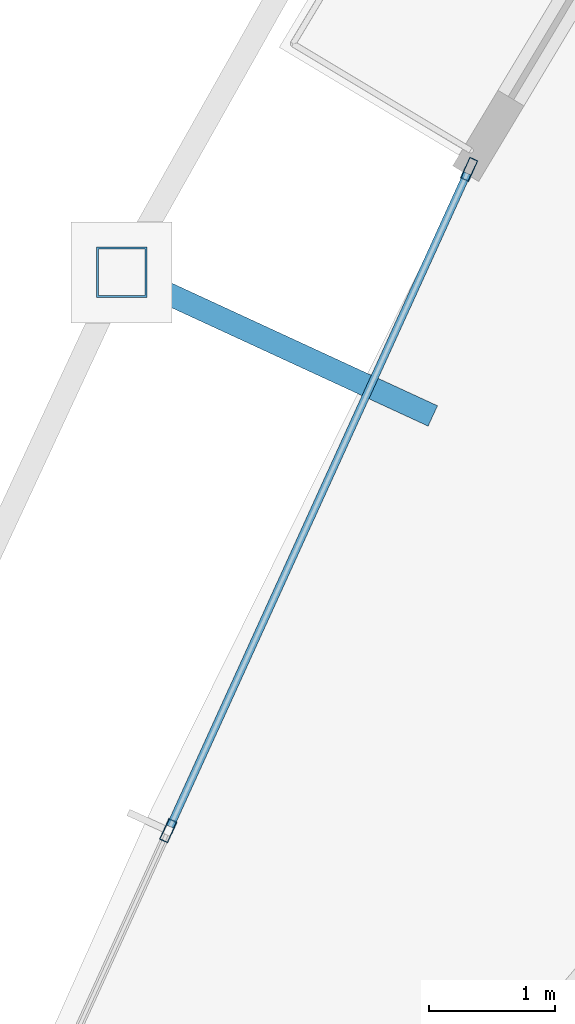
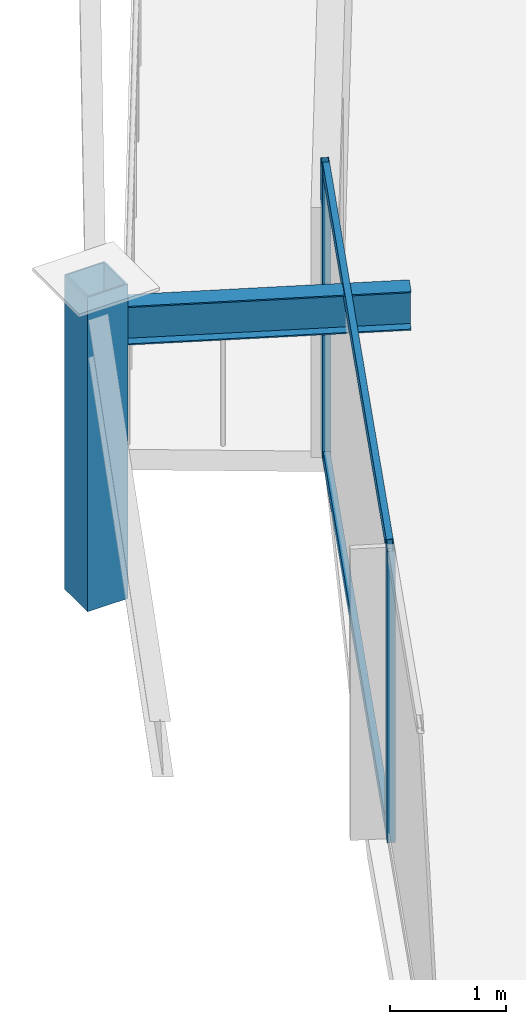
# One storey, part 10 of 33: 5 members, 1 beam, 1 element without a shape of its own.
"""IFC4 building model written with IfcOpenShell, lengths in metres."""

from ifc_helpers import new_model, si_unit, direction, frame, origin, origin_2d, place, context, subcontext, project, spatial, hollow_rectangle, i_section, extrude, material, layer, layer_set, material_profile, profile_set, type_object, element, aggregate, save


model = new_model("IFC4")

# Units and contexts
model_context = context("Model", 3, precision=1e-05, world=origin(), true_north=direction((0.0, 1.0)))
body_context = subcontext(model_context, "Body", "Model", "MODEL_VIEW")
ifc_project = project(units=[si_unit("LENGTHUNIT", "METRE"), si_unit("AREAUNIT", "SQUARE_METRE"), si_unit("VOLUMEUNIT", "CUBIC_METRE"), si_unit("PLANEANGLEUNIT", "RADIAN"), si_unit("MASSUNIT", "GRAM", prefix="KILO")], contexts=[model_context])

# Site, building, storey
site_placement = place(None, origin())
site = spatial("IfcSite", under=ifc_project, at=site_placement, CompositionType="ELEMENT")
building_placement = place(site_placement, origin())
building = spatial("IfcBuilding", under=site, at=building_placement, Name="Orvanel Arch Residences", CompositionType="ELEMENT")
storey_placement = place(building_placement, frame((0.0, 0.0, 123.199951171875)))
storey = spatial("IfcBuildingStorey", under=building, at=storey_placement, Name="L34", CompositionType="ELEMENT", Elevation=123.199951171875)

# Curtain wall, members
ifc_material_1 = material(Name="Bronze-anodised aluminium AA6063-T6", Category="aluminium")
ifc_layer = layer(ifc_material_1, 0.179931640625)
ifc_layer_set = layer_set([ifc_layer], Name="Bronze-anodised aluminium AA6063-T6")
curtain_wall_type = type_object("IfcCurtainWallType", Name="CW3-MID-SYS", PredefinedType="NOTDEFINED", material=ifc_layer_set)
curtain_wall_placement = place(storey_placement, origin())
curtain_wall = element("IfcCurtainWall", 1, at=curtain_wall_placement, inside=storey, type_object=curtain_wall_type, Name="L34 CW3-MID-SYS Unitised Curtain Wall", PredefinedType="NOTDEFINED")
ifc_material_profile_1 = material_profile(ifc_material_1, hollow_rectangle(XDim=0.070068359375, YDim=0.179931640625, WallThickness=0.00439453125, at=origin_2d()), Name="ALU180x70x4.5")
ifc_profile_set_1 = profile_set([ifc_material_profile_1], Name="Bronze-anodised aluminium AA6063-T6")
member_type_1 = type_object("IfcMemberType", Name="MUL-180x70", PredefinedType="MULLION", material=ifc_profile_set_1)
member_1_placement = place(storey_placement, frame((14.200439453125, 24.572021484375, 0.0), z_axis=(0.0, 0.0, 1.0), x_axis=(0.9102243469, -0.414115489097, 0.0)))
member_1 = element("IfcMember", 2, at=member_1_placement, type_object=member_type_1, Name="CW-S3 mullion 1", PredefinedType="MULLION", context=body_context, shape_type="SweptSolid", body=[
    extrude(hollow_rectangle(XDim=0.070068359375, YDim=0.179931640625, WallThickness=0.00439453125, at=origin_2d()), origin(), (0.0, 0.0, 1.0), 3.06005859375),
])
member_2_placement = place(storey_placement, frame((11.8193359375, 19.33837890625, 0.0), z_axis=(0.0, 0.0, 1.0), x_axis=(0.9102243469, -0.414115489097, 0.0)))
member_2 = element("IfcMember", 3, at=member_2_placement, type_object=member_type_1, Name="CW-S3 mullion 2", PredefinedType="MULLION", context=body_context, shape_type="SweptSolid", body=[
    extrude(hollow_rectangle(XDim=0.070068359375, YDim=0.179931640625, WallThickness=0.00439453125, at=origin_2d()), origin(), (0.0, 0.0, 1.0), 3.06005859375),
])

# Beam
ifc_material_2 = material(Name="Structural steel AS/NZS 3679.1 Grade 300 (300 MPa)", Category="steel")
ifc_material_profile_2 = material_profile(ifc_material_2, i_section(OverallWidth=0.177978515625, OverallDepth=0.406005859375, WebThickness=0.0078125, FlangeThickness=0.0126953125, at=origin_2d()), Name="410UB59.7")
ifc_profile_set_2 = profile_set([ifc_material_profile_2], Name="Structural steel AS/NZS 3679.1 Grade 300 (300 MPa)")
beam_type = type_object("IfcBeamType", Name="OB-410UB-EXT", PredefinedType="SPANDREL", material=ifc_profile_set_2)
beam_placement = place(storey_placement, frame((13.9130859375, 22.6201171875, 2.85693359375), z_axis=(-0.907940946, 0.419098125237, 0.0), x_axis=(-0.419098125237, -0.907940946, 0.0)))
element("IfcBeam", 4, at=beam_placement, inside=storey, type_object=beam_type, Name="L34 Outer Frame Radial Tie Beam 03", PredefinedType="SPANDREL", context=body_context, shape_type="SweptSolid", body=[
    extrude(i_section(OverallWidth=0.177978515625, OverallDepth=0.406005859375, WebThickness=0.0078125, FlangeThickness=0.0126953125, at=origin_2d()), origin(), (0.0, 0.0, 1.0), 2.712890625),
])

# Member
ifc_material_3 = material(Name="Structural steel AS/NZS 1163 C450L0 (Grade 450)", Category="steel")
ifc_material_profile_3 = material_profile(ifc_material_3, hollow_rectangle(XDim=0.39990234375, YDim=0.39990234375, WallThickness=0.01611328125, at=origin_2d()), Name="SHS400x400x16")
ifc_profile_set_3 = profile_set([ifc_material_profile_3], Name="Structural steel AS/NZS 1163 C450L0 (Grade 450)")
member_type_2 = type_object("IfcMemberType", Name="ST-400SHS-EXT", PredefinedType="STRUT", material=ifc_profile_set_3)
member_3_placement = place(storey_placement, frame((11.449951171875, 23.757080078125, 0.0), z_axis=(0.0, 0.0, 1.0), x_axis=(1.0, 0.0, 0.0)))
element("IfcMember", 5, at=member_3_placement, inside=storey, type_object=member_type_2, Name="L34 Outer Perimeter Frame Post 03", PredefinedType="STRUT", context=body_context, shape_type="SweptSolid", body=[
    extrude(hollow_rectangle(XDim=0.39990234375, YDim=0.39990234375, WallThickness=0.01611328125, at=origin_2d()), origin(), (0.0, 0.0, 1.0), 3.300048828125),
])

ifc_material_profile_4 = material_profile(ifc_material_1, hollow_rectangle(XDim=0.06005859375, YDim=0.135009765625, WallThickness=0.00390625, at=origin_2d()), Name="ALU135x60x4")
ifc_profile_set_4 = profile_set([ifc_material_profile_4], Name="Bronze-anodised aluminium AA6063-T6")
member_type_3 = type_object("IfcMemberType", Name="TRN-135x60", PredefinedType="USERDEFINED", material=ifc_profile_set_4)
member_4_placement = place(storey_placement, frame((14.18603515625, 24.540283203125, 0.030029296875), z_axis=(-0.414126751339, -0.910219222949, 0.0), x_axis=(0.910219222949, -0.414126751339, 0.0)))
member_4 = element("IfcMember", 6, at=member_4_placement, type_object=member_type_3, Name="CW-S3 transom 1.1", ObjectType="TRANSOM", PredefinedType="USERDEFINED", context=body_context, shape_type="SweptSolid", body=[
    extrude(hollow_rectangle(XDim=0.06005859375, YDim=0.135009765625, WallThickness=0.00390625, at=origin_2d()), origin(), (0.0, 0.0, 1.0), 5.68017578125),
])

member_5_placement = place(storey_placement, frame((14.18603515625, 24.540283203125, 3.030029296875), z_axis=(-0.414126751339, -0.910219222949, 0.0), x_axis=(0.910219222949, -0.414126751339, 0.0)))
member_5 = element("IfcMember", 7, at=member_5_placement, type_object=member_type_3, Name="CW-S3 transom 1.2", ObjectType="TRANSOM", PredefinedType="USERDEFINED", context=body_context, shape_type="SweptSolid", body=[
    extrude(hollow_rectangle(XDim=0.06005859375, YDim=0.135009765625, WallThickness=0.00390625, at=origin_2d()), origin(), (0.0, 0.0, 1.0), 5.68017578125),
])

aggregate(curtain_wall, [member_1, member_2, member_4, member_5])

save(model, "model.ifc")
